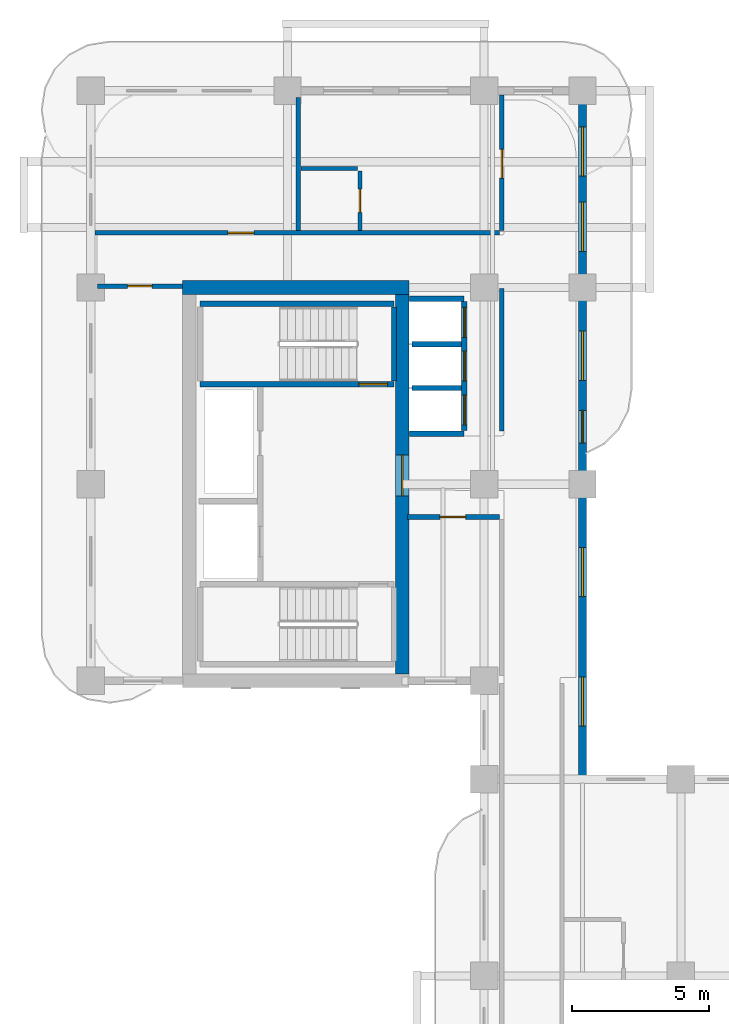
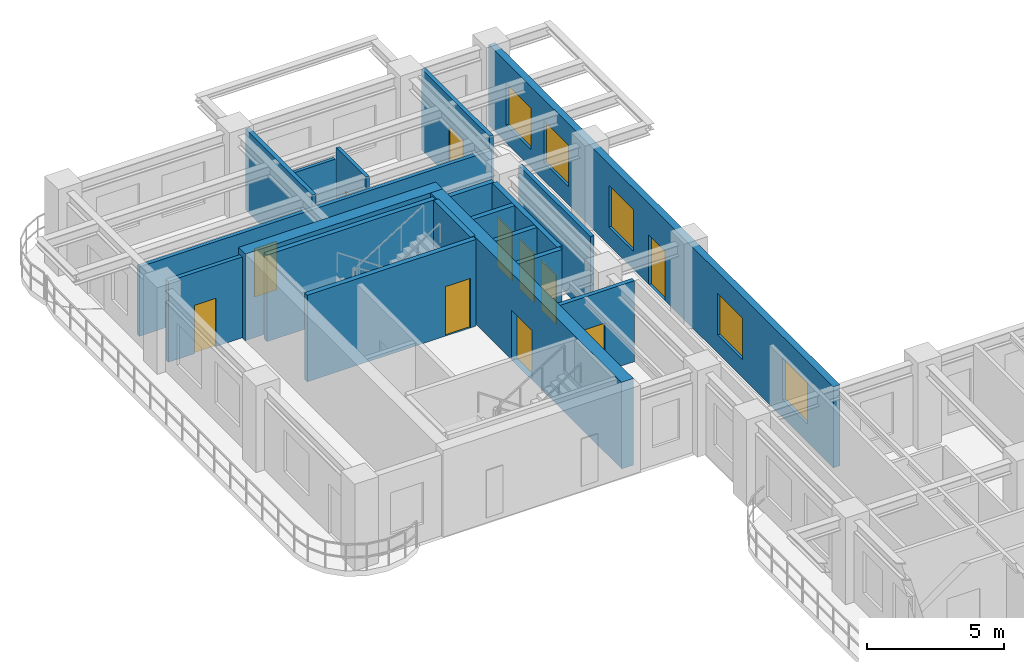
# One storey, part 8 of 14: 19 walls, 11 doors, 5 windows, 16 openings.
"""IFC4 building model written with IfcOpenShell, lengths in metres."""

import ifcopenshell
import ifcopenshell.guid

model = None  # the IFC model being written
_history = None  # IfcOwnerHistory: only IFC2X3 demands one
_inside = {}  # id of a spatial element -> (the spatial element, [elements in it])
_under = {}  # id of a project, library or spatial element -> (it, [spatial elements below it])
_declared = {}  # id of a project -> (the project, [libraries it declares])
_typed = {}  # id of a type object -> (the type object, [elements of that type])
_made_of = {}  # id of a material, layer set ... -> (it, [elements and type objects made of it])


def new_model(schema):
    """Start an empty IFC model of exactly this schema.

    Asked for "IFC4X3", IfcOpenShell would pick the latest addendum, in which some entities
    have other attributes; the version numbers below select the first issue.
    IFC2X3 requires an IfcOwnerHistory on every rooted entity: one is made here for all.
    """
    global model, _history
    if schema == "IFC4X3":
        model = ifcopenshell.file(schema_version=(4, 3, 0, 0))
    else:
        model = ifcopenshell.file(schema=schema)
    _inside.clear()
    _under.clear()
    _declared.clear()
    _typed.clear()
    _made_of.clear()
    _history = None
    if model.schema == "IFC2X3":
        org = make("IfcOrganization", Name="unknown")
        user = make(
            "IfcPersonAndOrganization",
            ThePerson=make("IfcPerson", FamilyName="unknown"),
            TheOrganization=org,
        )
        app = make(
            "IfcApplication",
            ApplicationDeveloper=org,
            Version="unknown",
            ApplicationFullName="unknown",
            ApplicationIdentifier="unknown",
        )
        _history = make(
            "IfcOwnerHistory",
            OwningUser=user,
            OwningApplication=app,
            ChangeAction="ADDED",
            CreationDate=0,
        )
    return model


def make(cls, **values):
    """One entity of the class cls with the attributes given. An attribute that is None is left unset."""
    return model.create_entity(
        cls, **{name: value for name, value in values.items() if value is not None}
    )


def rooted(cls, **values):
    """An entity with a GlobalId (a new one), such as an element, a storey or a relation."""
    return make(cls, GlobalId=ifcopenshell.guid.new(), OwnerHistory=_history, **values)


def si_unit(unit_type, name, prefix=None):
    """IfcSIUnit, for example si_unit("LENGTHUNIT", "METRE", prefix="MILLI")."""
    return make("IfcSIUnit", UnitType=unit_type, Prefix=prefix, Name=name)


def derived_unit(unit_type, elements):
    """IfcDerivedUnit: a product of units, each with its exponent."""
    return make(
        "IfcDerivedUnit",
        Elements=[
            make("IfcDerivedUnitElement", Unit=unit, Exponent=power)
            for unit, power in elements
        ],
        UnitType=unit_type,
    )


def assignment(units):
    """IfcUnitAssignment: the units of a project."""
    return None if units is None else make("IfcUnitAssignment", Units=units)


def point(xyz):
    """IfcCartesianPoint."""
    return None if xyz is None else make("IfcCartesianPoint", Coordinates=xyz)


def direction(xyz):
    """IfcDirection."""
    return None if xyz is None else make("IfcDirection", DirectionRatios=xyz)


def frame(location, z_axis=None, x_axis=None):
    """IfcAxis2Placement3D, a coordinate frame: its origin and axes. An axis left out is left unset."""
    return make(
        "IfcAxis2Placement3D",
        Location=point(location),
        Axis=direction(z_axis),
        RefDirection=direction(x_axis),
    )


def frame_2d(location, x_axis=None):
    """IfcAxis2Placement2D, a coordinate frame in the plane: its origin and x axis."""
    return make(
        "IfcAxis2Placement2D", Location=point(location), RefDirection=direction(x_axis)
    )


def origin():
    """The frame at (0, 0, 0) with its axes left unset."""
    return frame((0.0, 0.0, 0.0))


def place(relative_to, where):
    """IfcLocalPlacement: puts the frame where relative to a parent placement (None: the world)."""
    return make(
        "IfcLocalPlacement", PlacementRelTo=relative_to, RelativePlacement=where
    )


def context(
    kind, dimensions, precision=None, world=None, true_north=None, identifier=None
):
    """IfcGeometricRepresentationContext, for example the 3D "Model" context."""
    return make(
        "IfcGeometricRepresentationContext",
        ContextIdentifier=identifier,
        ContextType=kind,
        CoordinateSpaceDimension=dimensions,
        Precision=precision,
        WorldCoordinateSystem=world,
        TrueNorth=true_north,
    )


def subcontext(parent, identifier, kind, view, scale=None):
    """IfcGeometricRepresentationSubContext, for example "Body" below "Model"."""
    return make(
        "IfcGeometricRepresentationSubContext",
        ContextIdentifier=identifier,
        ContextType=kind,
        ParentContext=parent,
        TargetScale=scale,
        TargetView=view,
    )


def project(units=None, contexts=None):
    """IfcProject with its units and contexts."""
    return rooted(
        "IfcProject",
        Name="project",
        RepresentationContexts=contexts,
        UnitsInContext=assignment(units),
    )


def spatial(cls, under=None, at=None, **own):
    """A site, building, storey or space (cls), placed at a placement, below another one or the project."""
    s = rooted(cls, ObjectPlacement=at, **own)
    if under is not None:
        _under.setdefault(under.id(), (under, []))[1].append(s)
    return s


def profile(cls, at=None, kind="AREA", **sizes):
    """A parametric profile (cls). Its sizes go by their IFC names, for example OverallWidth=200.0."""
    return make(cls, ProfileType=kind, Position=at, **sizes)


def rectangle(**sizes):
    """IfcRectangleProfileDef."""
    return profile("IfcRectangleProfileDef", **sizes)


def extrude(swept, where, along, depth):
    """IfcExtrudedAreaSolid: the profile swept, set in the frame where, extruded along a direction by depth."""
    return make(
        "IfcExtrudedAreaSolid",
        SweptArea=swept,
        Position=where,
        ExtrudedDirection=direction(along),
        Depth=depth,
    )


def shape(context_of_items, identifier, shape_type, items):
    """IfcShapeRepresentation: the items that make up one representation, for example the "Body"."""
    return make(
        "IfcShapeRepresentation",
        ContextOfItems=context_of_items,
        RepresentationIdentifier=identifier,
        RepresentationType=shape_type,
        Items=items,
    )


def source(mapping_origin, context_of_items, identifier, shape_type, items):
    """IfcRepresentationMap: a shape defined once, which mapped items show again and again."""
    return make(
        "IfcRepresentationMap",
        MappingOrigin=mapping_origin,
        MappedRepresentation=shape(context_of_items, identifier, shape_type, items),
    )


def transform(
    local_origin,
    x_axis=None,
    y_axis=None,
    z_axis=None,
    scale=None,
    scale2=None,
    scale3=None,
    uniform=True,
):
    """IfcCartesianTransformationOperator3D, or its non-uniform kind. x_axis, y_axis, z_axis: its Axis1, 2, 3."""
    if uniform:
        return make(
            "IfcCartesianTransformationOperator3D",
            Axis1=direction(x_axis),
            Axis2=direction(y_axis),
            LocalOrigin=point(local_origin),
            Scale=scale,
            Axis3=direction(z_axis),
        )
    return make(
        "IfcCartesianTransformationOperator3DnonUniform",
        Axis1=direction(x_axis),
        Axis2=direction(y_axis),
        LocalOrigin=point(local_origin),
        Scale=scale,
        Axis3=direction(z_axis),
        Scale2=scale2,
        Scale3=scale3,
    )


def mapped(mapping_source, mapping_target):
    """IfcMappedItem: shows the shape of a source again, moved by a transform."""
    return make(
        "IfcMappedItem", MappingSource=mapping_source, MappingTarget=mapping_target
    )


def material(Name=None, Category=None):
    """IfcMaterial."""
    return make("IfcMaterial", Name=Name, Category=Category)


def layer(
    of_material, thickness, ventilated=None, Name=None, Category=None, Priority=None
):
    """IfcMaterialLayer: one layer of a wall or slab, of a material (None: an air gap)."""
    return make(
        "IfcMaterialLayer",
        Material=of_material,
        LayerThickness=thickness,
        IsVentilated=ventilated,
        Name=Name,
        Category=Category,
        Priority=Priority,
    )


def layer_set(layers, Name=None):
    """IfcMaterialLayerSet."""
    return make("IfcMaterialLayerSet", MaterialLayers=layers, LayerSetName=Name)


def made_of(thing, what):
    """Note that an element or type object is made of a material, layer set ...; save() writes the relation."""
    if what is not None:
        _made_of.setdefault(what.id(), (what, []))[1].append(thing)
    return thing


def type_object(cls, material=None, **own):
    """A type object (cls), such as IfcWallType, which elements share."""
    return made_of(rooted(cls, **own), material)


def type_shapes(of_type, sources):
    """Give a type object the sources (RepresentationMaps) that its elements show as mapped items."""
    of_type.RepresentationMaps = sources


def element(
    cls,
    number,
    at=None,
    inside=None,
    cuts=None,
    type_object=None,
    material=None,
    context=None,
    identifier="Body",
    shape_type=None,
    held_by="IfcProductDefinitionShape",
    body=None,
    shapes=None,
    **own,
):
    """One element of the class cls, such as IfcWall. Its Tag is "e" and its number.

    at: its placement. inside: the storey or other place that contains it. cuts: it is an
    opening in that element (IfcRelVoidsElement). A single representation is given by context,
    identifier, shape_type and body (its items); several are given by shapes. held_by: the class
    of the entity that holds the representations. save() writes the other relations.
    """
    e = rooted(cls, Tag="e%d" % number, ObjectPlacement=at, **own)
    if body is not None:
        shapes = [shape(context, identifier, shape_type, body)]
    if shapes is not None:
        e.Representation = make(held_by, Representations=shapes)
    if inside is not None:
        _inside.setdefault(inside.id(), (inside, []))[1].append(e)
    if cuts is not None:
        rooted(
            "IfcRelVoidsElement", RelatingBuildingElement=cuts, RelatedOpeningElement=e
        )
    if type_object is not None:
        _typed.setdefault(type_object.id(), (type_object, []))[1].append(e)
    return made_of(e, material)


def fill(opening, filler):
    """IfcRelFillsElement: the door or window that sits in an opening."""
    return rooted(
        "IfcRelFillsElement",
        RelatingOpeningElement=opening,
        RelatedBuildingElement=filler,
    )


def aggregate(whole, parts):
    """IfcRelAggregates: a whole, such as a stair, and the parts it consists of."""
    return rooted("IfcRelAggregates", RelatingObject=whole, RelatedObjects=parts)


def save(model, path):
    """Write the relations noted so far, then the file.

    IfcRelAggregates (storeys below a building ...), IfcRelContainedInSpatialStructure (elements
    in a storey), IfcRelDefinesByType, IfcRelAssociatesMaterial and IfcRelDeclares: one each for
    every whole, place, type object, material and project.
    """
    for whole, parts in _under.values():
        aggregate(whole, parts)
    for where, things in _inside.values():
        rooted(
            "IfcRelContainedInSpatialStructure",
            RelatedElements=things,
            RelatingStructure=where,
        )
    for kind, things in _typed.values():
        rooted("IfcRelDefinesByType", RelatedObjects=things, RelatingType=kind)
    for what, things in _made_of.values():
        rooted("IfcRelAssociatesMaterial", RelatedObjects=things, RelatingMaterial=what)
    for by, libraries in _declared.values():
        rooted("IfcRelDeclares", RelatingContext=by, RelatedDefinitions=libraries)
    model.write(path)


model = new_model("IFC4")

# Units and contexts
model_context = context("Model", 3, precision=1e-05, world=origin(), true_north=direction((0.0, 1.0)))
body_context = subcontext(model_context, "Body", "Model", "MODEL_VIEW")
ifc_project = project(units=[si_unit("LENGTHUNIT", "METRE"), si_unit("AREAUNIT", "SQUARE_METRE"), si_unit("VOLUMEUNIT", "CUBIC_METRE"), si_unit("PLANEANGLEUNIT", "RADIAN"), si_unit("MASSUNIT", "GRAM", prefix="KILO"), si_unit("THERMODYNAMICTEMPERATUREUNIT", "KELVIN"), si_unit("POWERUNIT", "WATT"), derived_unit("THERMALTRANSMITTANCEUNIT", [(si_unit("POWERUNIT", "WATT"), 1), (si_unit("AREAUNIT", "SQUARE_METRE"), -1), (si_unit("THERMODYNAMICTEMPERATUREUNIT", "KELVIN"), -1)])], contexts=[model_context])

# Site, building, storey
site_placement = place(None, origin())
site = spatial("IfcSite", under=ifc_project, at=site_placement, CompositionType="ELEMENT")
building_placement = place(site_placement, origin())
building = spatial("IfcBuilding", under=site, at=building_placement, Name="Zahravan Archway Hotel and Residences", CompositionType="ELEMENT")
storey_placement = place(building_placement, frame((0.0, 0.0, 188.800048828125)))
storey = spatial("IfcBuildingStorey", under=building, at=storey_placement, Name="L47", CompositionType="ELEMENT", Elevation=188.800048828125)

# Wall
ifc_material_1 = material(Name="Concrete C60/75", Category="concrete")
ifc_layer_1 = layer(ifc_material_1, 0.5, Name="Concrete C60/75", Category="concrete")
ifc_layer_set_1 = layer_set([ifc_layer_1], Name="Concrete C60/75")
wall_type_1 = type_object("IfcWallType", Name="CW-CORE-500", PredefinedType="SHEAR", material=ifc_layer_set_1)
wall_1_placement = place(storey_placement, frame((3.35009765625, 39.60009765625, 0.0), z_axis=(0.0, 0.0, 1.0), x_axis=(1.0, 0.0, 0.0)))
element("IfcWall", 1, at=wall_1_placement, inside=storey, type_object=wall_type_1, Name="L47 Core B Shear N Wall 500 mm", PredefinedType="SHEAR", context=body_context, shape_type="SweptSolid", body=[
    extrude(rectangle(XDim=8.2998046875, YDim=0.5, at=frame_2d((4.14990234375, 0.0))), origin(), (0.0, 0.0, 1.0), 3.849853515625),
])

# Wall, opening, door
wall_2_placement = place(storey_placement, frame((11.39990234375, 25.449951171875, 0.0), z_axis=(0.0, 0.0, 1.0), x_axis=(0.0, 1.0, 0.0)))
wall_2 = element("IfcWall", 2, at=wall_2_placement, inside=storey, type_object=wall_type_1, Name="L47 Core B Shear E Wall 500 mm", PredefinedType="SHEAR", context=body_context, shape_type="SweptSolid", body=[
    extrude(rectangle(XDim=13.900146484375, YDim=0.5, at=frame_2d((6.9501953125, 0.0))), origin(), (0.0, 0.0, 1.0), 3.849853515625),
])
opening_1_placement = place(wall_2_placement, frame((6.52001953125, 0.0, 0.0)))
opening_1 = element("IfcOpeningElement", 3, at=opening_1_placement, cuts=wall_2, Name="Opening FD-L1", PredefinedType="OPENING", context=body_context, shape_type="SweptSolid", body=[
    extrude(rectangle(XDim=1.5, YDim=2.199951171875, at=frame_2d((0.75, 1.10009765625))), frame((0.0, 0.260009765625, 0.0), z_axis=(0.0, -1.0, 0.0), x_axis=(1.0, 0.0, 0.0)), (0.0, 0.0, 1.0), 0.52001953125),
])
ifc_material_2 = material(Name="Fire-Rated Painted Steel", Category="steel")
door_type_1 = type_object("IfcDoorType", Name="FD-LOBBY-1500", OperationType="DOUBLE_DOOR_SINGLE_SWING", PredefinedType="DOOR", material=ifc_material_2)
shared_shape_1 = source(origin(), body_context, "Body", "SweptSolid", [
    extrude(rectangle(XDim=1.5, YDim=2.199951171875, at=frame_2d((0.75, 1.10009765625))), frame((0.0, 0.02490234375, 0.0), z_axis=(0.0, -1.0, 0.0), x_axis=(1.0, 0.0, 0.0)), (0.0, 0.0, 1.0), 0.050048828125),
])
type_shapes(door_type_1, [shared_shape_1])
door_1_placement = place(opening_1_placement, origin())
door_1 = element("IfcDoor", 4, at=door_1_placement, inside=storey, type_object=door_type_1, Name="L47 Core B FSAE Lobby Door", OperationType="DOUBLE_DOOR_SINGLE_SWING", OverallHeight=2.199951171875, OverallWidth=1.5, PredefinedType="DOOR", context=body_context, shape_type="MappedRepresentation", body=[
    mapped(shared_shape_1, transform((0.0, 0.0, 0.0), scale=1.0)),
])
fill(opening_1, door_1)

# Wall, openings, door, windows
ifc_material_3 = material(Name="Honed Red-Ochre Sandstone & Insulated Block", Category="masonry")
ifc_layer_2 = layer(ifc_material_3, 0.280029296875, Name="Honed Red-Ochre Sandstone & Insulated Block", Category="masonry")
ifc_layer_set_2 = layer_set([ifc_layer_2], Name="Honed Red-Ochre Sandstone & Insulated Block")
wall_type_2 = type_object("IfcWallType", Name="EW-LOG-280", PredefinedType="SOLIDWALL", material=ifc_layer_set_2)
wall_3_placement = place(storey_placement, frame((18.0, 21.64990234375, 0.0), z_axis=(0.0, 0.0, 1.0), x_axis=(0.0, 1.0, 0.0)))
wall_3 = element("IfcWall", 5, at=wall_3_placement, inside=storey, type_object=wall_type_2, Name="L47 Exterior Sandstone Wall WB-EU", PredefinedType="SOLIDWALL", context=body_context, shape_type="SweptSolid", body=[
    extrude(rectangle(XDim=25.10009765625, YDim=0.280029296875, at=frame_2d((12.550048828125, 0.0))), origin(), (0.0, 0.0, 1.0), 3.599853515625),
])
opening_2_placement = place(wall_3_placement, frame((12.25, 0.0, 0.0)))
opening_2 = element("IfcOpeningElement", 6, at=opening_2_placement, cuts=wall_3, Name="Opening ED-BL1", PredefinedType="OPENING", context=body_context, shape_type="SweptSolid", body=[
    extrude(rectangle(XDim=1.199951171875, YDim=2.199951171875, at=frame_2d((0.60009765625, 1.10009765625))), frame((0.0, 0.14990234375, 0.0), z_axis=(0.0, -1.0, 0.0), x_axis=(1.0, 0.0, 0.0)), (0.0, 0.0, 1.0), 0.300048828125),
])
opening_3_placement = place(wall_3_placement, frame((1.889892578125, 0.0, 0.800048828125)))
opening_3 = element("IfcOpeningElement", 7, at=opening_3_placement, cuts=wall_3, Name="Opening W-02", PredefinedType="OPENING", context=body_context, shape_type="SweptSolid", body=[
    extrude(rectangle(XDim=1.800048828125, YDim=1.85009765625, at=frame_2d((0.89990234375, 0.925048828125))), frame((0.0, 0.14990234375, 0.0), z_axis=(0.0, -1.0, 0.0), x_axis=(1.0, 0.0, 0.0)), (0.0, 0.0, 1.0), 0.300048828125),
])
opening_4_placement = place(wall_3_placement, frame((6.6298828125, 0.0, 0.800048828125)))
opening_4 = element("IfcOpeningElement", 8, at=opening_4_placement, cuts=wall_3, Name="Opening W-02", PredefinedType="OPENING", context=body_context, shape_type="SweptSolid", body=[
    extrude(rectangle(XDim=1.800048828125, YDim=1.85009765625, at=frame_2d((0.89990234375, 0.925048828125))), frame((0.0, 0.14990234375, 0.0), z_axis=(0.0, -1.0, 0.0), x_axis=(1.0, 0.0, 0.0)), (0.0, 0.0, 1.0), 0.300048828125),
])
opening_5_placement = place(wall_3_placement, frame((14.550048828125, 0.0, 0.800048828125)))
opening_5 = element("IfcOpeningElement", 9, at=opening_5_placement, cuts=wall_3, Name="Opening W-02", PredefinedType="OPENING", context=body_context, shape_type="SweptSolid", body=[
    extrude(rectangle(XDim=1.800048828125, YDim=1.85009765625, at=frame_2d((0.89990234375, 0.925048828125))), frame((0.0, 0.14990234375, 0.0), z_axis=(0.0, -1.0, 0.0), x_axis=(1.0, 0.0, 0.0)), (0.0, 0.0, 1.0), 0.300048828125),
])
opening_6_placement = place(wall_3_placement, frame((19.27490234375, 0.0, 0.800048828125)))
opening_6 = element("IfcOpeningElement", 10, at=opening_6_placement, cuts=wall_3, Name="Opening W-02", PredefinedType="OPENING", context=body_context, shape_type="SweptSolid", body=[
    extrude(rectangle(XDim=1.800048828125, YDim=1.85009765625, at=frame_2d((0.89990234375, 0.925048828125))), frame((0.0, 0.14990234375, 0.0), z_axis=(0.0, -1.0, 0.0), x_axis=(1.0, 0.0, 0.0)), (0.0, 0.0, 1.0), 0.300048828125),
])
opening_7_placement = place(wall_3_placement, frame((22.02490234375, 0.0, 0.800048828125)))
opening_7 = element("IfcOpeningElement", 11, at=opening_7_placement, cuts=wall_3, Name="Opening W-02", PredefinedType="OPENING", context=body_context, shape_type="SweptSolid", body=[
    extrude(rectangle(XDim=1.800048828125, YDim=1.85009765625, at=frame_2d((0.89990234375, 0.925048828125))), frame((0.0, 0.14990234375, 0.0), z_axis=(0.0, -1.0, 0.0), x_axis=(1.0, 0.0, 0.0)), (0.0, 0.0, 1.0), 0.300048828125),
])
ifc_material_4 = material(Name="Bronze-Anodized Glazed Aluminium", Category="aluminium")
door_type_2 = type_object("IfcDoorType", Name="ED-BALC-1200", OperationType="SLIDING_TO_LEFT", PredefinedType="DOOR", material=ifc_material_4)
shared_shape_2 = source(origin(), body_context, "Body", "SweptSolid", [
    extrude(rectangle(XDim=1.199951171875, YDim=2.199951171875, at=frame_2d((0.60009765625, 1.10009765625))), frame((0.0, 0.02490234375, 0.0), z_axis=(0.0, -1.0, 0.0), x_axis=(1.0, 0.0, 0.0)), (0.0, 0.0, 1.0), 0.050048828125),
])
type_shapes(door_type_2, [shared_shape_2])
door_2_placement = place(opening_2_placement, origin())
door_2 = element("IfcDoor", 12, at=door_2_placement, inside=storey, type_object=door_type_2, Name="L47 Outdoor Access Sliding Door (SLB-BAL-L47-EB)", OperationType="SLIDING_TO_LEFT", OverallHeight=2.199951171875, OverallWidth=1.199951171875, PredefinedType="DOOR", context=body_context, shape_type="MappedRepresentation", body=[
    mapped(shared_shape_2, transform((0.0, 0.0, 0.0), scale=1.0)),
])
fill(opening_2, door_2)
ifc_material_5 = material(Name="Bronze-Anodized Thermal-Break Aluminium & Low-E Glass", Category="aluminium")
window_type = type_object("IfcWindowType", Name="WIN-TWR-1800", PartitioningType="DOUBLE_PANEL_VERTICAL", PredefinedType="WINDOW", material=ifc_material_5)
shared_shape_3 = source(origin(), body_context, "Body", "SweptSolid", [
    extrude(rectangle(XDim=1.800048828125, YDim=1.85009765625, at=frame_2d((0.89990234375, 0.925048828125))), frame((0.0, 0.030029296875, 0.0), z_axis=(0.0, -1.0, 0.0), x_axis=(1.0, 0.0, 0.0)), (0.0, 0.0, 1.0), 0.06005859375),
])
type_shapes(window_type, [shared_shape_3])
window_1_placement = place(opening_3_placement, origin())
window_1 = element("IfcWindow", 13, at=window_1_placement, inside=storey, type_object=window_type, Name="L47 Loggia Window 38", OverallHeight=1.85009765625, OverallWidth=1.800048828125, PartitioningType="DOUBLE_PANEL_VERTICAL", PredefinedType="WINDOW", context=body_context, shape_type="MappedRepresentation", body=[
    mapped(shared_shape_3, transform((0.0, 0.0, 0.0), scale=1.0)),
])
fill(opening_3, window_1)
window_2_placement = place(opening_4_placement, origin())
window_2 = element("IfcWindow", 14, at=window_2_placement, inside=storey, type_object=window_type, Name="L47 Loggia Window 39", OverallHeight=1.85009765625, OverallWidth=1.800048828125, PartitioningType="DOUBLE_PANEL_VERTICAL", PredefinedType="WINDOW", context=body_context, shape_type="MappedRepresentation", body=[
    mapped(shared_shape_3, transform((0.0, 0.0, 0.0), scale=1.0)),
])
fill(opening_4, window_2)
window_3_placement = place(opening_5_placement, origin())
window_3 = element("IfcWindow", 15, at=window_3_placement, inside=storey, type_object=window_type, Name="L47 Loggia Window 40", OverallHeight=1.85009765625, OverallWidth=1.800048828125, PartitioningType="DOUBLE_PANEL_VERTICAL", PredefinedType="WINDOW", context=body_context, shape_type="MappedRepresentation", body=[
    mapped(shared_shape_3, transform((0.0, 0.0, 0.0), scale=1.0)),
])
fill(opening_5, window_3)
window_4_placement = place(opening_6_placement, origin())
window_4 = element("IfcWindow", 16, at=window_4_placement, inside=storey, type_object=window_type, Name="L47 Loggia Window 41", OverallHeight=1.85009765625, OverallWidth=1.800048828125, PartitioningType="DOUBLE_PANEL_VERTICAL", PredefinedType="WINDOW", context=body_context, shape_type="MappedRepresentation", body=[
    mapped(shared_shape_3, transform((0.0, 0.0, 0.0), scale=1.0)),
])
fill(opening_6, window_4)
window_5_placement = place(opening_7_placement, origin())
window_5 = element("IfcWindow", 17, at=window_5_placement, inside=storey, type_object=window_type, Name="L47 Loggia Window 42", OverallHeight=1.85009765625, OverallWidth=1.800048828125, PartitioningType="DOUBLE_PANEL_VERTICAL", PredefinedType="WINDOW", context=body_context, shape_type="MappedRepresentation", body=[
    mapped(shared_shape_3, transform((0.0, 0.0, 0.0), scale=1.0)),
])
fill(opening_7, window_5)

# Wall
ifc_material_6 = material(Name="Fire-Rated Gypsum & Concrete Block", Category="concrete")
ifc_layer_3 = layer(ifc_material_6, 0.159912109375, Name="Fire-Rated Gypsum & Concrete Block", Category="concrete")
ifc_layer_set_3 = layer_set([ifc_layer_3], Name="Fire-Rated Gypsum & Concrete Block")
wall_type_3 = type_object("IfcWallType", Name="PW-CORR-160", PredefinedType="PARTITIONING", material=ifc_layer_set_3)
wall_4_placement = place(storey_placement, frame((15.050048828125, 34.340087890625, 0.0), z_axis=(0.0, 0.0, 1.0), x_axis=(0.0, 1.0, 0.0)))
element("IfcWall", 18, at=wall_4_placement, inside=storey, type_object=wall_type_3, Name="L47 Partition WBN-CL", PredefinedType="PARTITIONING", context=body_context, shape_type="SweptSolid", body=[
    extrude(rectangle(XDim=5.219970703125, YDim=0.159912109375, at=frame_2d((2.60986328125, 0.0))), origin(), (0.0, 0.0, 1.0), 3.599853515625),
])

# Wall, opening, door
wall_5_placement = place(storey_placement, frame((15.050048828125, 41.68994140625, 0.0), z_axis=(0.0, 0.0, 1.0), x_axis=(0.0, 1.0, 0.0)))
wall_5 = element("IfcWall", 19, at=wall_5_placement, inside=storey, type_object=wall_type_3, Name="L47 Partition WBN-CU", PredefinedType="PARTITIONING", context=body_context, shape_type="SweptSolid", body=[
    extrude(rectangle(XDim=4.962158203125, YDim=0.159912109375, at=frame_2d((2.48095703125, 0.0))), origin(), (0.0, 0.0, 1.0), 3.599853515625),
])
opening_8_placement = place(wall_5_placement, frame((1.909912109375, 0.0, 0.0)))
opening_8 = element("IfcOpeningElement", 20, at=opening_8_placement, cuts=wall_5, Name="Opening D-U1", PredefinedType="OPENING", context=body_context, shape_type="SweptSolid", body=[
    extrude(rectangle(XDim=1.050048828125, YDim=2.25, at=frame_2d((0.52490234375, 1.125))), frame((0.0, 0.08984375, 0.0), z_axis=(0.0, -1.0, 0.0), x_axis=(1.0, 0.0, 0.0)), (0.0, 0.0, 1.0), 0.179931640625),
])
ifc_material_7 = material(Name="Hardwood Veneer Timber", Category="wood")
door_type_3 = type_object("IfcDoorType", Name="ID-UNIT-1050", OperationType="NOTDEFINED", PredefinedType="DOOR", material=ifc_material_7)
shared_shape_4 = source(origin(), body_context, "Body", "SweptSolid", [
    extrude(rectangle(XDim=1.050048828125, YDim=2.25, at=frame_2d((0.52490234375, 1.125))), frame((0.0, 0.02490234375, 0.0), z_axis=(0.0, -1.0, 0.0), x_axis=(1.0, 0.0, 0.0)), (0.0, 0.0, 1.0), 0.050048828125),
])
type_shapes(door_type_3, [shared_shape_4])
door_3_placement = place(opening_8_placement, origin())
door_3 = element("IfcDoor", 21, at=door_3_placement, inside=storey, type_object=door_type_3, Name="L47 Hotel Guestroom 78 Entrance Door", OperationType="SINGLE_SWING_LEFT", OverallHeight=2.25, OverallWidth=1.050048828125, PredefinedType="DOOR", context=body_context, shape_type="MappedRepresentation", body=[
    mapped(shared_shape_4, transform((0.0, 0.0, 0.0), scale=1.0)),
])
fill(opening_8, door_3)

wall_6_placement = place(storey_placement, frame((0.14794921875, 41.60009765625, 0.0), z_axis=(0.0, 0.0, 1.0), x_axis=(1.0, 0.0, 0.0)))
wall_6 = element("IfcWall", 22, at=wall_6_placement, inside=storey, type_object=wall_type_3, Name="L47 Partition WBN-S2", PredefinedType="PARTITIONING", context=body_context, shape_type="SweptSolid", body=[
    extrude(rectangle(XDim=14.81201171875, YDim=0.159912109375, at=frame_2d((7.406005859375, 0.0))), origin(), (0.0, 0.0, 1.0), 3.0849609375),
])
opening_9_placement = place(wall_6_placement, frame((4.876953125, 0.0, 0.0)))
opening_9 = element("IfcOpeningElement", 23, at=opening_9_placement, cuts=wall_6, Name="Opening D-I1", PredefinedType="OPENING", context=body_context, shape_type="SweptSolid", body=[
    extrude(rectangle(XDim=0.949951171875, YDim=2.14990234375, at=frame_2d((0.47509765625, 1.074951171875))), frame((0.0, 0.08984375, 0.0), z_axis=(0.0, -1.0, 0.0), x_axis=(1.0, 0.0, 0.0)), (0.0, 0.0, 1.0), 0.179931640625),
])
door_type_4 = type_object("IfcDoorType", Name="ID-INT-950", OperationType="NOTDEFINED", PredefinedType="DOOR", material=ifc_material_7)
shared_shape_5 = source(origin(), body_context, "Body", "SweptSolid", [
    extrude(rectangle(XDim=0.949951171875, YDim=2.14990234375, at=frame_2d((0.47509765625, 1.074951171875))), frame((0.0, 0.02490234375, 0.0), z_axis=(0.0, -1.0, 0.0), x_axis=(1.0, 0.0, 0.0)), (0.0, 0.0, 1.0), 0.050048828125),
])
type_shapes(door_type_4, [shared_shape_5])
door_4_placement = place(opening_9_placement, origin())
door_4 = element("IfcDoor", 24, at=door_4_placement, inside=storey, type_object=door_type_4, Name="L47 North West Study Door", OperationType="SINGLE_SWING_LEFT", OverallHeight=2.14990234375, OverallWidth=0.949951171875, PredefinedType="DOOR", context=body_context, shape_type="MappedRepresentation", body=[
    mapped(shared_shape_5, transform((0.0, 0.0, 0.0), scale=1.0)),
])
fill(opening_9, door_4)

# Walls
ifc_layer_4 = layer(ifc_material_6, 0.199951171875, Name="Fire-Rated Gypsum & Concrete Block", Category="concrete")
ifc_layer_set_4 = layer_set([ifc_layer_4], Name="Fire-Rated Gypsum & Concrete Block")
wall_type_4 = type_object("IfcWallType", Name="PW-SHAFT-200", PredefinedType="PARTITIONING", material=ifc_layer_set_4)
for number, where, z_axis, x_axis, name in (
    (25, (11.659912109375, 34.25, 0.0), (0.0, 0.0, 1.0), (1.0, 0.0, 0.0), "L47 Partition B2-S"),
    (26, (11.659912109375, 39.18994140625, 0.0), (0.0, 0.0, 1.0), (1.0, 0.0, 0.0), "L47 Partition B2-N"),
):
    element("IfcWall", number, at=place(storey_placement, frame(where, z_axis=z_axis, x_axis=x_axis)), inside=storey, type_object=wall_type_4, Name=name, PredefinedType="PARTITIONING", context=body_context, shape_type="SweptSolid", body=[
        extrude(rectangle(XDim=2.010009765625, YDim=0.199951171875, at=frame_2d((1.0048828125, 0.0))), origin(), (0.0, 0.0, 1.0), 3.599853515625),
    ])

# Wall, openings, doors
wall_7_placement = place(storey_placement, frame((13.679931640625, 34.360107421875, 0.0), z_axis=(0.0, 0.0, 1.0), x_axis=(0.0, 1.0, 0.0)))
wall_7 = element("IfcWall", 27, at=wall_7_placement, inside=storey, type_object=wall_type_4, Name="L47 Partition B2-E", PredefinedType="PARTITIONING", context=body_context, shape_type="SweptSolid", body=[
    extrude(rectangle(XDim=4.719970703125, YDim=0.199951171875, at=frame_2d((2.35986328125, 0.0))), origin(), (0.0, 0.0, 1.0), 3.599853515625),
])
opening_10_placement = place(wall_7_placement, frame((0.2099609375, 0.0, 0.0)))
opening_10 = element("IfcOpeningElement", 28, at=opening_10_placement, cuts=wall_7, Name="Opening LD", PredefinedType="OPENING", context=body_context, shape_type="SweptSolid", body=[
    extrude(rectangle(XDim=1.10009765625, YDim=2.199951171875, at=frame_2d((0.550048828125, 1.10009765625))), frame((0.0, 0.10986328125, 0.0), z_axis=(0.0, -1.0, 0.0), x_axis=(1.0, 0.0, 0.0)), (0.0, 0.0, 1.0), 0.219970703125),
])
opening_11_placement = place(wall_7_placement, frame((1.81005859375, 0.0, 0.0)))
opening_11 = element("IfcOpeningElement", 29, at=opening_11_placement, cuts=wall_7, Name="Opening LD", PredefinedType="OPENING", context=body_context, shape_type="SweptSolid", body=[
    extrude(rectangle(XDim=1.10009765625, YDim=2.199951171875, at=frame_2d((0.550048828125, 1.10009765625))), frame((0.0, 0.10986328125, 0.0), z_axis=(0.0, -1.0, 0.0), x_axis=(1.0, 0.0, 0.0)), (0.0, 0.0, 1.0), 0.219970703125),
])
opening_12_placement = place(wall_7_placement, frame((3.409912109375, 0.0, 0.0)))
opening_12 = element("IfcOpeningElement", 30, at=opening_12_placement, cuts=wall_7, Name="Opening LD", PredefinedType="OPENING", context=body_context, shape_type="SweptSolid", body=[
    extrude(rectangle(XDim=1.10009765625, YDim=2.199951171875, at=frame_2d((0.550048828125, 1.10009765625))), frame((0.0, 0.10986328125, 0.0), z_axis=(0.0, -1.0, 0.0), x_axis=(1.0, 0.0, 0.0)), (0.0, 0.0, 1.0), 0.219970703125),
])
ifc_material_8 = material(Name="Brushed Stainless Steel", Category="steel")
door_type_5 = type_object("IfcDoorType", Name="DR-LIFT-LD", OperationType="SLIDING_TO_LEFT", PredefinedType="DOOR", material=ifc_material_8)
shared_shape_6 = source(origin(), body_context, "Body", "SweptSolid", [
    extrude(rectangle(XDim=1.10009765625, YDim=2.199951171875, at=frame_2d((0.550048828125, 1.10009765625))), frame((0.0, 0.02490234375, 0.0), z_axis=(0.0, -1.0, 0.0), x_axis=(1.0, 0.0, 0.0)), (0.0, 0.0, 1.0), 0.050048828125),
])
type_shapes(door_type_5, [shared_shape_6])
door_5_placement = place(opening_10_placement, origin())
door_5 = element("IfcDoor", 31, at=door_5_placement, inside=storey, type_object=door_type_5, Name="L47 Lift LP-4 Sliding Landing Door", OperationType="SLIDING_TO_LEFT", OverallHeight=2.199951171875, OverallWidth=1.10009765625, PredefinedType="DOOR", context=body_context, shape_type="MappedRepresentation", body=[
    mapped(shared_shape_6, transform((0.0, 0.0, 0.0), scale=1.0)),
])
fill(opening_10, door_5)
door_6_placement = place(opening_11_placement, origin())
door_6 = element("IfcDoor", 32, at=door_6_placement, inside=storey, type_object=door_type_5, Name="L47 Lift LP-5 Sliding Landing Door", OperationType="SLIDING_TO_LEFT", OverallHeight=2.199951171875, OverallWidth=1.10009765625, PredefinedType="DOOR", context=body_context, shape_type="MappedRepresentation", body=[
    mapped(shared_shape_6, transform((0.0, 0.0, 0.0), scale=1.0)),
])
fill(opening_11, door_6)
door_7_placement = place(opening_12_placement, origin())
door_7 = element("IfcDoor", 33, at=door_7_placement, inside=storey, type_object=door_type_5, Name="L47 Lift LP-6 Sliding Landing Door", OperationType="SLIDING_TO_LEFT", OverallHeight=2.199951171875, OverallWidth=1.10009765625, PredefinedType="DOOR", context=body_context, shape_type="MappedRepresentation", body=[
    mapped(shared_shape_6, transform((0.0, 0.0, 0.0), scale=1.0)),
])
fill(opening_12, door_7)

# Walls
for number, where, z_axis, x_axis, name in (
    (34, (11.760009765625, 35.919921875, 0.0), (0.0, 0.0, 1.0), (1.0, 0.0, 0.0), "L47 Partition B2-D"),
    (35, (11.760009765625, 37.52001953125, 0.0), (0.0, 0.0, 1.0), (1.0, 0.0, 0.0), "L47 Partition B2-D"),
):
    element("IfcWall", number, at=place(storey_placement, frame(where, z_axis=z_axis, x_axis=x_axis)), inside=storey, type_object=wall_type_4, Name=name, PredefinedType="PARTITIONING", context=body_context, shape_type="SweptSolid", body=[
        extrude(rectangle(XDim=1.81005859375, YDim=0.199951171875, at=frame_2d((0.905029296875, 0.0))), origin(), (0.0, 0.0, 1.0), 3.599853515625),
    ])

# Wall, opening, door
ifc_material_9 = material(Name="Acoustic Stud Partition")
ifc_layer_5 = layer(ifc_material_9, 0.169921875, Name="Acoustic Stud Partition")
ifc_layer_set_5 = layer_set([ifc_layer_5], Name="Acoustic Stud Partition")
wall_type_5 = type_object("IfcWallType", Name="PW-UNIT-170", PredefinedType="PARTITIONING", material=ifc_layer_set_5)
wall_8_placement = place(storey_placement, frame((0.239990234375, 39.64990234375, 0.0), z_axis=(0.0, 0.0, 1.0), x_axis=(1.0, 0.0, 0.0)))
wall_8 = element("IfcWall", 36, at=wall_8_placement, inside=storey, type_object=wall_type_5, Name="L47 Partition WBW-N", PredefinedType="PARTITIONING", context=body_context, shape_type="SweptSolid", body=[
    extrude(rectangle(XDim=3.1201171875, YDim=0.169921875, at=frame_2d((1.56005859375, 0.0))), origin(), (0.0, 0.0, 1.0), 3.599853515625),
])
opening_13_placement = place(wall_8_placement, frame((1.110107421875, 0.0, 0.0)))
opening_13 = element("IfcOpeningElement", 37, at=opening_13_placement, cuts=wall_8, Name="Opening D-I2", PredefinedType="OPENING", context=body_context, shape_type="SweptSolid", body=[
    extrude(rectangle(XDim=0.89990234375, YDim=2.14990234375, at=frame_2d((0.449951171875, 1.074951171875))), frame((0.0, 0.094970703125, 0.0), z_axis=(0.0, -1.0, 0.0), x_axis=(1.0, 0.0, 0.0)), (0.0, 0.0, 1.0), 0.18994140625),
])
door_type_6 = type_object("IfcDoorType", Name="ID-INT-900", OperationType="NOTDEFINED", PredefinedType="DOOR", material=ifc_material_7)
shared_shape_7 = source(origin(), body_context, "Body", "SweptSolid", [
    extrude(rectangle(XDim=0.89990234375, YDim=2.14990234375, at=frame_2d((0.449951171875, 1.074951171875))), frame((0.0, 0.02490234375, 0.0), z_axis=(0.0, -1.0, 0.0), x_axis=(1.0, 0.0, 0.0)), (0.0, 0.0, 1.0), 0.050048828125),
])
type_shapes(door_type_6, [shared_shape_7])
door_8_placement = place(opening_13_placement, origin())
door_8 = element("IfcDoor", 38, at=door_8_placement, inside=storey, type_object=door_type_6, Name="L47 West Loggia Salon Door", OperationType="SINGLE_SWING_RIGHT", OverallHeight=2.14990234375, OverallWidth=0.89990234375, PredefinedType="DOOR", context=body_context, shape_type="MappedRepresentation", body=[
    mapped(shared_shape_7, transform((0.0, 0.0, 0.0), scale=1.0)),
])
fill(opening_13, door_8)

# Wall
wall_9_placement = place(storey_placement, frame((7.60009765625, 41.68994140625, 0.0), z_axis=(0.0, 0.0, 1.0), x_axis=(0.0, 1.0, 0.0)))
element("IfcWall", 39, at=wall_9_placement, inside=storey, type_object=wall_type_5, Name="L47 Partition WBN-V2", PredefinedType="PARTITIONING", context=body_context, shape_type="SweptSolid", body=[
    extrude(rectangle(XDim=4.8701171875, YDim=0.169921875, at=frame_2d((2.43505859375, 0.0))), origin(), (0.0, 0.0, 1.0), 3.599853515625),
])

# Wall, opening, door
wall_10_placement = place(storey_placement, frame((11.590087890625, 31.199951171875, 0.0), z_axis=(0.0, 0.0, 1.0), x_axis=(1.0, 0.0, 0.0)))
wall_10 = element("IfcWall", 40, at=wall_10_placement, inside=storey, type_object=wall_type_5, Name="L47 Partition FB1-N", PredefinedType="PARTITIONING", context=body_context, shape_type="SweptSolid", body=[
    extrude(rectangle(XDim=3.369873046875, YDim=0.169921875, at=frame_2d((1.68505859375, 0.0))), origin(), (0.0, 0.0, 1.0), 3.599853515625),
])
opening_14_placement = place(wall_10_placement, frame((1.18505859375, 0.0, 0.0)))
opening_14 = element("IfcOpeningElement", 41, at=opening_14_placement, cuts=wall_10, Name="Opening D-I1", PredefinedType="OPENING", context=body_context, shape_type="SweptSolid", body=[
    extrude(rectangle(XDim=0.949951171875, YDim=2.14990234375, at=frame_2d((0.47509765625, 1.074951171875))), frame((0.0, 0.094970703125, 0.0), z_axis=(0.0, -1.0, 0.0), x_axis=(1.0, 0.0, 0.0)), (0.0, 0.0, 1.0), 0.18994140625),
])
door_9_placement = place(opening_14_placement, origin())
door_9 = element("IfcDoor", 42, at=door_9_placement, inside=storey, type_object=door_type_4, Name="L47 Freed Bank 1 Reading Salon Door", OperationType="SINGLE_SWING_LEFT", OverallHeight=2.14990234375, OverallWidth=0.949951171875, PredefinedType="DOOR", context=body_context, shape_type="MappedRepresentation", body=[
    mapped(shared_shape_5, transform((0.0, 0.0, 0.0), scale=1.0)),
])
fill(opening_14, door_9)

# Wall
ifc_material_10 = material(Name="Moisture-Resistant Blockwork", Category="masonry")
ifc_layer_6 = layer(ifc_material_10, 0.139892578125, Name="Moisture-Resistant Blockwork", Category="masonry")
ifc_layer_set_6 = layer_set([ifc_layer_6], Name="Moisture-Resistant Blockwork")
wall_type_6 = type_object("IfcWallType", Name="PW-WET-140", PredefinedType="PARTITIONING", material=ifc_layer_set_6)
wall_11_placement = place(storey_placement, frame((7.68994140625, 43.949951171875, 0.0), z_axis=(0.0, 0.0, 1.0), x_axis=(1.0, 0.0, 0.0)))
element("IfcWall", 43, at=wall_11_placement, inside=storey, type_object=wall_type_6, Name="L47 Partition HKB-H78", PredefinedType="PARTITIONING", context=body_context, shape_type="SweptSolid", body=[
    extrude(rectangle(XDim=2.070068359375, YDim=0.139892578125, at=frame_2d((1.03515625, 0.0))), origin(), (0.0, 0.0, 1.0), 3.0849609375),
])

# Wall, opening, door
wall_12_placement = place(storey_placement, frame((9.85009765625, 41.68994140625, 0.0), z_axis=(0.0, 0.0, 1.0), x_axis=(0.0, 1.0, 0.0)))
wall_12 = element("IfcWall", 44, at=wall_12_placement, inside=storey, type_object=wall_type_6, Name="L47 Partition HKB-V78", PredefinedType="PARTITIONING", context=body_context, shape_type="SweptSolid", body=[
    extrude(rectangle(XDim=2.170166015625, YDim=0.139892578125, at=frame_2d((1.0849609375, 0.0))), origin(), (0.0, 0.0, 1.0), 3.599853515625),
])
opening_15_placement = place(wall_12_placement, frame((0.659912109375, 0.0, 0.0)))
opening_15 = element("IfcOpeningElement", 45, at=opening_15_placement, cuts=wall_12, Name="Opening D-B1", PredefinedType="OPENING", context=body_context, shape_type="SweptSolid", body=[
    extrude(rectangle(XDim=0.85009765625, YDim=2.10009765625, at=frame_2d((0.425048828125, 1.050048828125))), frame((0.0, 0.080078125, 0.0), z_axis=(0.0, -1.0, 0.0), x_axis=(1.0, 0.0, 0.0)), (0.0, 0.0, 1.0), 0.159912109375),
])
door_type_7 = type_object("IfcDoorType", Name="ID-BATH-850", OperationType="NOTDEFINED", PredefinedType="DOOR", material=ifc_material_7)
shared_shape_8 = source(origin(), body_context, "Body", "SweptSolid", [
    extrude(rectangle(XDim=0.85009765625, YDim=2.10009765625, at=frame_2d((0.425048828125, 1.050048828125))), frame((0.0, 0.02490234375, 0.0), z_axis=(0.0, -1.0, 0.0), x_axis=(1.0, 0.0, 0.0)), (0.0, 0.0, 1.0), 0.050048828125),
])
type_shapes(door_type_7, [shared_shape_8])
door_10_placement = place(opening_15_placement, origin())
door_10 = element("IfcDoor", 46, at=door_10_placement, inside=storey, type_object=door_type_7, Name="L47 Guestroom 78 En-Suite Door", OperationType="SINGLE_SWING_RIGHT", OverallHeight=2.10009765625, OverallWidth=0.85009765625, PredefinedType="DOOR", context=body_context, shape_type="MappedRepresentation", body=[
    mapped(shared_shape_8, transform((0.0, 0.0, 0.0), scale=1.0)),
])
fill(opening_15, door_10)

# Walls
ifc_material_11 = material(Name="Concrete C50/60", Category="concrete")
ifc_layer_7 = layer(ifc_material_11, 0.199951171875, Name="Concrete C50/60", Category="concrete")
ifc_layer_set_7 = layer_set([ifc_layer_7], Name="Concrete C50/60")
wall_type_7 = type_object("IfcWallType", Name="SW-STAIR-200", PredefinedType="SHEAR", material=ifc_layer_set_7)
wall_13_placement = place(storey_placement, frame((4.0, 39.0, 0.0), z_axis=(0.0, 0.0, 1.0), x_axis=(1.0, 0.0, 0.0)))
element("IfcWall", 47, at=wall_13_placement, inside=storey, type_object=wall_type_7, Name="L47 Stairwell RC Wall CB-SB2N", PredefinedType="SHEAR", context=body_context, shape_type="SweptSolid", body=[
    extrude(rectangle(XDim=7.10009765625, YDim=0.199951171875, at=frame_2d((3.550048828125, 0.0))), origin(), (0.0, 0.0, 1.0), 3.849853515625),
])
wall_14_placement = place(storey_placement, frame((11.10009765625, 36.179931640625, 0.0), z_axis=(0.0, 0.0, 1.0), x_axis=(0.0, 1.0, 0.0)))
element("IfcWall", 48, at=wall_14_placement, inside=storey, type_object=wall_type_7, Name="L47 Stairwell RC Wall CB-SB2E", PredefinedType="SHEAR", context=body_context, shape_type="SweptSolid", body=[
    extrude(rectangle(XDim=2.699951171875, YDim=0.199951171875, at=frame_2d((1.35009765625, 0.0))), origin(), (0.0, 0.0, 1.0), 3.849853515625),
])

# Wall, opening, door
wall_15_placement = place(storey_placement, frame((4.0, 36.06005859375, 0.0), z_axis=(0.0, 0.0, 1.0), x_axis=(1.0, 0.0, 0.0)))
wall_15 = element("IfcWall", 49, at=wall_15_placement, inside=storey, type_object=wall_type_7, Name="L47 Stairwell RC Wall CB-SB2S", PredefinedType="SHEAR", context=body_context, shape_type="SweptSolid", body=[
    extrude(rectangle(XDim=7.10009765625, YDim=0.199951171875, at=frame_2d((3.550048828125, 0.0))), origin(), (0.0, 0.0, 1.0), 3.849853515625),
])
opening_16_placement = place(wall_15_placement, frame((5.81494140625, 0.0, 0.0)))
opening_16 = element("IfcOpeningElement", 50, at=opening_16_placement, cuts=wall_15, Name="Opening FD-S1", PredefinedType="OPENING", context=body_context, shape_type="SweptSolid", body=[
    extrude(rectangle(XDim=1.050048828125, YDim=2.199951171875, at=frame_2d((0.52490234375, 1.10009765625))), frame((0.0, 0.10986328125, 0.0), z_axis=(0.0, -1.0, 0.0), x_axis=(1.0, 0.0, 0.0)), (0.0, 0.0, 1.0), 0.219970703125),
])
door_type_8 = type_object("IfcDoorType", Name="FD-STAIR-1100", OperationType="NOTDEFINED", PredefinedType="DOOR", material=ifc_material_2)
shared_shape_9 = source(origin(), body_context, "Body", "SweptSolid", [
    extrude(rectangle(XDim=1.050048828125, YDim=2.199951171875, at=frame_2d((0.52490234375, 1.10009765625))), frame((0.0, 0.02490234375, 0.0), z_axis=(0.0, -1.0, 0.0), x_axis=(1.0, 0.0, 0.0)), (0.0, 0.0, 1.0), 0.050048828125),
])
type_shapes(door_type_8, [shared_shape_9])
door_11_placement = place(opening_16_placement, origin())
door_11 = element("IfcDoor", 51, at=door_11_placement, inside=storey, type_object=door_type_8, Name="L47 Stair ST-B2 Door", OperationType="SINGLE_SWING_RIGHT", OverallHeight=2.199951171875, OverallWidth=1.050048828125, PredefinedType="DOOR", context=body_context, shape_type="MappedRepresentation", body=[
    mapped(shared_shape_9, transform((0.0, 0.0, 0.0), scale=1.0)),
])
fill(opening_16, door_11)

save(model, "model.ifc")
